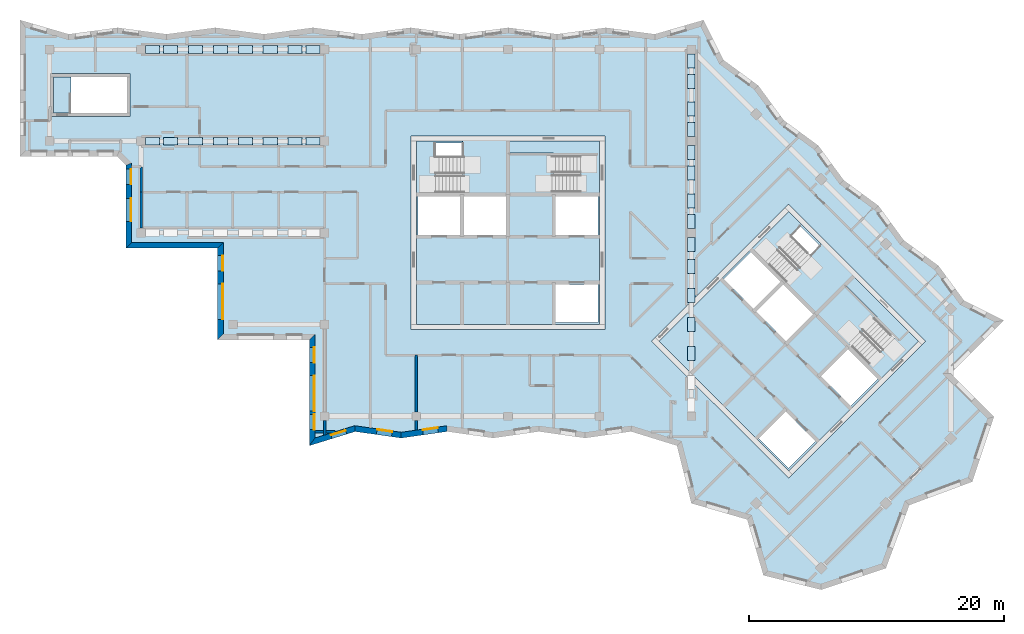
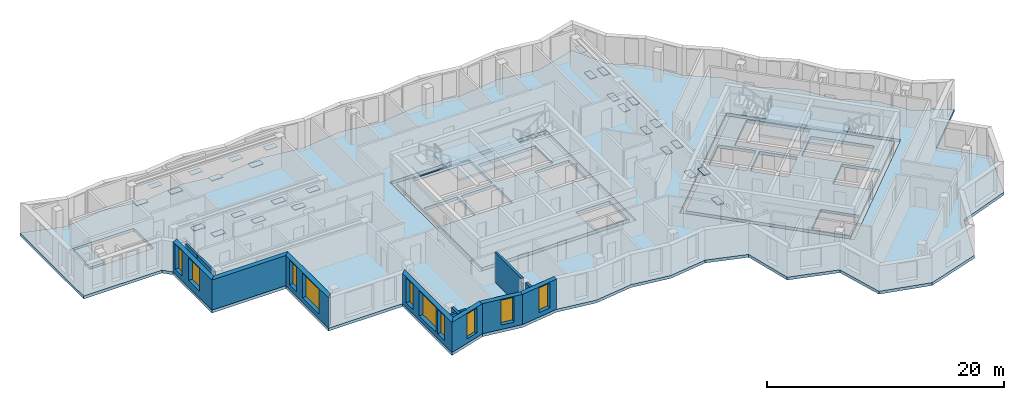
# One storey, part 2 of 12: 29 plates, 13 walls, 10 windows, 8 slabs, 25 openings, 4 elements without a shape of their own.
"""IFC4 building model written with IfcOpenShell, lengths in metres."""

from ifc_helpers import new_model, si_unit, direction, frame, frame_2d, origin, origin_2d, place, context, subcontext, project, spatial, polyline, rectangle, outline, extrude, material, layer, layer_set, type_object, element, fill, aggregate, save


model = new_model("IFC4")

# Units and contexts
model_context = context("Model", 3, precision=1e-05, world=origin(), true_north=direction((0.0, 1.0)))
body_context = subcontext(model_context, "Body", "Model", "MODEL_VIEW")
ifc_project = project(units=[si_unit("LENGTHUNIT", "METRE"), si_unit("AREAUNIT", "SQUARE_METRE"), si_unit("VOLUMEUNIT", "CUBIC_METRE"), si_unit("PLANEANGLEUNIT", "RADIAN"), si_unit("MASSUNIT", "GRAM", prefix="KILO")], contexts=[model_context])

# Site, building, storey
site_placement = place(None, origin())
site = spatial("IfcSite", under=ifc_project, at=site_placement, CompositionType="ELEMENT")
building_placement = place(site_placement, origin())
building = spatial("IfcBuilding", under=site, at=building_placement, Name="Windrow Commons", CompositionType="ELEMENT")
storey_placement = place(building_placement, frame((0.0, 0.0, 267.6)))
storey = spatial("IfcBuildingStorey", under=building, at=storey_placement, Name="L73", CompositionType="ELEMENT", Elevation=267.6)

# Slab, openings
ifc_material_1 = material(Name="Concrete C40/50", Category="concrete")
ifc_layer_1 = layer(ifc_material_1, 0.3)
ifc_layer_set_1 = layer_set([ifc_layer_1], Name="CORE FLOOR SLAB 300 C40/50")
slab_type_1 = type_object("IfcSlabType", Name="CORE FLOOR SLAB 300 C40/50", PredefinedType="FLOOR", material=ifc_layer_set_1)
placement_1 = place(storey_placement, frame((0.0, 0.0, -0.3)))
slab_1 = element("IfcSlab", 1, at=placement_1, inside=storey, type_object=slab_type_1, Name="S-L73-core-A", PredefinedType="FLOOR", context=body_context, shape_type="SweptSolid", body=[
    extrude(outline(polyline([(57.6, 50.4), (72.0, 50.4), (72.0, 64.8), (57.6, 64.8), (57.6, 50.4)]), holes=[polyline([(68.55, 50.55), (71.85, 50.55), (71.85, 53.55), (68.55, 53.55), (68.55, 50.55)]), polyline([(57.75, 57.45), (61.05, 57.45), (61.05, 60.45), (57.75, 60.45), (57.75, 57.45)]), polyline([(61.35, 57.45), (64.65, 57.45), (64.65, 60.45), (61.35, 60.45), (61.35, 57.45)]), polyline([(68.55, 57.45), (71.85, 57.45), (71.85, 60.45), (68.55, 60.45), (68.55, 57.45)]), polyline([(59.1, 60.75), (64.65, 60.75), (64.65, 64.65), (59.1, 64.65), (59.1, 60.75)]), polyline([(64.95, 60.75), (70.5, 60.75), (70.5, 63.705), (64.95, 63.705), (64.95, 60.75)])]), origin(), (0.0, 0.0, 1.0), 0.3),
])
opening_1_placement = place(placement_1, origin())
element("IfcOpeningElement", 2, at=opening_1_placement, cuts=slab_1, Name="Slab opening S-L73-core-A 1", PredefinedType="OPENING", context=body_context, shape_type="SweptSolid", body=[
    extrude(outline(polyline([(68.555, 50.555), (68.555, 53.545), (71.845, 53.545), (71.845, 50.555), (68.555, 50.555)])), origin(), (0.0, 0.0, 1.0), 0.3),
])
opening_2_placement = place(placement_1, origin())
element("IfcOpeningElement", 3, at=opening_2_placement, cuts=slab_1, Name="Slab opening S-L73-core-A 2", PredefinedType="OPENING", context=body_context, shape_type="SweptSolid", body=[
    extrude(outline(polyline([(57.755, 57.455), (57.755, 60.445), (61.045, 60.445), (61.045, 57.455), (57.755, 57.455)])), origin(), (0.0, 0.0, 1.0), 0.3),
])
opening_3_placement = place(placement_1, origin())
element("IfcOpeningElement", 4, at=opening_3_placement, cuts=slab_1, Name="Slab opening S-L73-core-A 3", PredefinedType="OPENING", context=body_context, shape_type="SweptSolid", body=[
    extrude(outline(polyline([(61.355, 57.455), (61.355, 60.445), (64.645, 60.445), (64.645, 57.455), (61.355, 57.455)])), origin(), (0.0, 0.0, 1.0), 0.3),
])
opening_4_placement = place(placement_1, origin())
element("IfcOpeningElement", 5, at=opening_4_placement, cuts=slab_1, Name="Slab opening S-L73-core-A 4", PredefinedType="OPENING", context=body_context, shape_type="SweptSolid", body=[
    extrude(outline(polyline([(68.555, 57.455), (68.555, 60.445), (71.845, 60.445), (71.845, 57.455), (68.555, 57.455)])), origin(), (0.0, 0.0, 1.0), 0.3),
])
opening_5_placement = place(placement_1, origin())
element("IfcOpeningElement", 6, at=opening_5_placement, cuts=slab_1, Name="Slab opening S-L73-core-A 5", PredefinedType="OPENING", context=body_context, shape_type="SweptSolid", body=[
    extrude(outline(polyline([(59.105, 60.755), (59.105, 64.645), (64.645, 64.645), (64.645, 60.755), (59.105, 60.755)])), origin(), (0.0, 0.0, 1.0), 0.3),
])
opening_6_placement = place(placement_1, origin())
element("IfcOpeningElement", 7, at=opening_6_placement, cuts=slab_1, Name="Slab opening S-L73-core-A 6", PredefinedType="OPENING", context=body_context, shape_type="SweptSolid", body=[
    extrude(outline(polyline([(64.955, 60.755), (64.955, 63.7), (70.495, 63.7), (70.495, 60.755), (64.955, 60.755)])), origin(), (0.0, 0.0, 1.0), 0.3),
])

slab_2 = element("IfcSlab", 8, at=placement_1, inside=storey, type_object=slab_type_1, Name="S-L73-core-B", PredefinedType="FLOOR", context=body_context, shape_type="SweptSolid", body=[
    extrude(outline(polyline([(76.6544, 49.0897), (86.8368, 38.9074), (97.0191, 49.0897), (86.8368, 59.2721), (76.6544, 49.0897)]), holes=[polyline([(84.5033, 41.453), (86.8368, 39.1195), (88.9581, 41.2409), (86.6246, 43.5743), (84.5033, 41.453)]), polyline([(81.7456, 53.9688), (84.079, 51.6353), (86.2004, 53.7566), (83.8669, 56.0901), (81.7456, 53.9688)]), polyline([(84.2912, 51.4232), (86.6246, 49.0897), (88.7459, 51.2111), (86.4125, 53.5445), (84.2912, 51.4232)]), polyline([(89.3823, 46.332), (91.7158, 43.9986), (93.8371, 46.1199), (91.5037, 48.4533), (89.3823, 46.332)]), polyline([(85.0336, 55.3476), (88.9581, 51.4232), (91.7158, 54.1809), (87.7913, 58.1054), (85.0336, 55.3476)]), polyline([(89.1702, 51.2111), (93.0946, 47.2866), (95.1841, 49.3761), (91.2597, 53.3006), (89.1702, 51.2111)])]), origin(), (0.0, 0.0, 1.0), 0.3),
])
opening_7_placement = place(placement_1, origin())
element("IfcOpeningElement", 9, at=opening_7_placement, cuts=slab_2, Name="Slab opening S-L73-core-B 1", PredefinedType="OPENING", context=body_context, shape_type="SweptSolid", body=[
    extrude(outline(polyline([(84.5104, 41.453), (86.6246, 43.5672), (88.951, 41.2409), (86.8368, 39.1266), (84.5104, 41.453)])), origin(), (0.0, 0.0, 1.0), 0.3),
])
opening_8_placement = place(placement_1, origin())
element("IfcOpeningElement", 10, at=opening_8_placement, cuts=slab_2, Name="Slab opening S-L73-core-B 2", PredefinedType="OPENING", context=body_context, shape_type="SweptSolid", body=[
    extrude(outline(polyline([(81.7527, 53.9688), (83.8669, 56.083), (86.1933, 53.7566), (84.079, 51.6424), (81.7527, 53.9688)])), origin(), (0.0, 0.0, 1.0), 0.3),
])
opening_9_placement = place(placement_1, origin())
element("IfcOpeningElement", 11, at=opening_9_placement, cuts=slab_2, Name="Slab opening S-L73-core-B 3", PredefinedType="OPENING", context=body_context, shape_type="SweptSolid", body=[
    extrude(outline(polyline([(84.2983, 51.4232), (86.4125, 53.5374), (88.7388, 51.2111), (86.6246, 49.0968), (84.2983, 51.4232)])), origin(), (0.0, 0.0, 1.0), 0.3),
])
opening_10_placement = place(placement_1, origin())
element("IfcOpeningElement", 12, at=opening_10_placement, cuts=slab_2, Name="Slab opening S-L73-core-B 4", PredefinedType="OPENING", context=body_context, shape_type="SweptSolid", body=[
    extrude(outline(polyline([(89.3894, 46.332), (91.5037, 48.4462), (93.83, 46.1199), (91.7158, 44.0057), (89.3894, 46.332)])), origin(), (0.0, 0.0, 1.0), 0.3),
])
opening_11_placement = place(placement_1, origin())
element("IfcOpeningElement", 13, at=opening_11_placement, cuts=slab_2, Name="Slab opening S-L73-core-B 5", PredefinedType="OPENING", context=body_context, shape_type="SweptSolid", body=[
    extrude(outline(polyline([(85.0407, 55.3476), (87.7913, 58.0983), (91.7087, 54.1809), (88.9581, 51.4303), (85.0407, 55.3476)])), origin(), (0.0, 0.0, 1.0), 0.3),
])
opening_12_placement = place(placement_1, origin())
element("IfcOpeningElement", 14, at=opening_12_placement, cuts=slab_2, Name="Slab opening S-L73-core-B 6", PredefinedType="OPENING", context=body_context, shape_type="SweptSolid", body=[
    extrude(outline(polyline([(89.1773, 51.2111), (91.2597, 53.2935), (95.177, 49.3761), (93.0946, 47.2937), (89.1773, 51.2111)])), origin(), (0.0, 0.0, 1.0), 0.3),
])

# Slab
element("IfcSlab", 15, at=placement_1, inside=storey, type_object=slab_type_1, Name="S-L73-stub-stair", PredefinedType="FLOOR", context=body_context, shape_type="SweptSolid", body=[
    extrude(outline(polyline([(29.125, 67.0), (30.475, 67.0), (30.475, 69.85), (29.125, 69.85), (29.125, 67.0)])), origin(), (0.0, 0.0, 1.0), 0.3),
])

# Stair, slab
ifc_material_2 = material(Name="Concrete C40/50", Category="concrete")
stair_type = type_object("IfcStairType", Name="Core stair", PredefinedType="HALF_TURN_STAIR", material=ifc_material_2)
placement_2 = place(storey_placement, origin())
stair_1 = element("IfcStair", 16, at=placement_2, inside=storey, type_object=stair_type, Name="L73 Exit stair A1 core A", PredefinedType="HALF_TURN_STAIR")
ifc_material_3 = material(Name="Concrete C40/50", Category="concrete")
ifc_layer_2 = layer(ifc_material_3, 0.2)
ifc_layer_set_2 = layer_set([ifc_layer_2], Name="Core stair landing")
slab_type_2 = type_object("IfcSlabType", Name="Core stair landing", PredefinedType="LANDING", material=ifc_layer_set_2)
placement_3 = place(storey_placement, frame((0.0, 0.0, 1.5)))
slab_4 = element("IfcSlab", 17, at=placement_3, type_object=slab_type_2, Name="ST-A1 landing 1", PredefinedType="LANDING", context=body_context, shape_type="SweptSolid", body=[
    extrude(outline(polyline([(61.22, 60.5), (64.8, 60.5), (64.8, 64.9), (61.22, 64.9), (61.22, 60.5)])), origin(), (0.0, 0.0, 1.0), 0.2),
])
aggregate(stair_1, [slab_4])

stair_2 = element("IfcStair", 18, at=placement_2, inside=storey, type_object=stair_type, Name="L73 Exit stair A2 core A", PredefinedType="HALF_TURN_STAIR")
slab_5 = element("IfcSlab", 19, at=placement_3, type_object=slab_type_2, Name="ST-A2 landing 1", PredefinedType="LANDING", context=body_context, shape_type="SweptSolid", body=[
    extrude(outline(polyline([(64.8, 60.5), (68.38, 60.5), (68.38, 63.855), (64.8, 63.855), (64.8, 60.5)])), origin(), (0.0, 0.0, 1.0), 0.2),
])
aggregate(stair_2, [slab_5])

stair_3 = element("IfcStair", 20, at=placement_2, inside=storey, type_object=stair_type, Name="L73 Exit stair B1 core B", PredefinedType="HALF_TURN_STAIR")
slab_6 = element("IfcSlab", 21, at=placement_3, type_object=slab_type_2, Name="ST-B1 landing 1", PredefinedType="LANDING", context=body_context, shape_type="SweptSolid", body=[
    extrude(outline(polyline([(86.3559, 53.6718), (88.8874, 51.1403), (91.9986, 54.2516), (89.4672, 56.7831), (86.3559, 53.6718)])), origin(), (0.0, 0.0, 1.0), 0.2),
])
aggregate(stair_3, [slab_6])

stair_4 = element("IfcStair", 22, at=placement_2, inside=storey, type_object=stair_type, Name="L73 Exit stair B2 core B", PredefinedType="HALF_TURN_STAIR")
slab_7 = element("IfcSlab", 23, at=placement_3, type_object=slab_type_2, Name="ST-B2 landing 1", PredefinedType="LANDING", context=body_context, shape_type="SweptSolid", body=[
    extrude(outline(polyline([(88.8874, 51.1403), (91.4188, 48.6089), (93.7911, 50.9812), (91.2597, 53.5127), (88.8874, 51.1403)])), origin(), (0.0, 0.0, 1.0), 0.2),
])
aggregate(stair_4, [slab_7])

# Slab, openings
ifc_material_4 = material(Name="Concrete C40/50", Category="concrete")
ifc_layer_3 = layer(ifc_material_4, 0.3)
ifc_layer_set_3 = layer_set([ifc_layer_3], Name="FLOOR SLAB 300 C40/50")
slab_type_3 = type_object("IfcSlabType", Name="FLOOR SLAB 300 C40/50", PredefinedType="FLOOR", material=ifc_layer_set_3)
slab_8 = element("IfcSlab", 24, at=placement_1, inside=storey, type_object=slab_type_3, Name="S-L73-floor", PredefinedType="FLOOR", context=body_context, shape_type="SweptSolid", body=[
    extrude(outline(polyline([(84.8566, 30.7051), (89.3823, 29.5736), (94.4735, 31.2706), (96.312, 36.2204), (101.2617, 38.0588), (102.9588, 43.15), (99.5647, 46.5442), (103.7451, 50.7246), (100.6001, 52.297), (98.6034, 55.0178), (95.8826, 57.0145), (93.8859, 59.7353), (91.1651, 61.732), (89.1684, 64.4528), (86.4476, 66.4495), (84.4509, 69.1703), (81.7301, 71.167), (80.1577, 74.312), (76.3242, 73.2), (72.4906, 73.712), (68.6571, 73.2), (64.8235, 73.712), (60.99, 73.2), (57.1564, 73.712), (53.3229, 73.2), (49.4893, 73.712), (45.6558, 73.2), (41.8222, 73.712), (37.9887, 73.2), (34.1551, 73.712), (30.3216, 73.2), (26.488, 74.312), (26.488, 63.6), (34.1, 63.6), (34.8, 62.9), (34.8, 56.4), (42.0, 56.4), (42.0, 49.2), (49.2, 49.2), (49.2, 40.888), (52.8085, 42.0), (56.417, 41.488), (60.0255, 42.0), (63.634, 41.488), (67.2424, 42.0), (70.8509, 41.488), (74.4594, 42.0), (78.0679, 40.888), (79.1994, 36.3623), (83.5837, 35.0894), (84.8566, 30.7051)]), holes=[polyline([(76.0887, 49.0897), (86.8368, 59.8378), (97.5848, 49.0897), (86.8368, 38.3417), (76.0887, 49.0897)]), polyline([(57.2, 65.2), (72.4, 65.2), (72.4, 50.0), (57.2, 50.0), (57.2, 65.2)]), polyline([(28.875, 66.75), (28.875, 70.1), (35.125, 70.1), (35.125, 66.75), (28.875, 66.75)])]), origin(), (0.0, 0.0, 1.0), 0.3),
])
opening_13_placement = place(placement_1, origin())
element("IfcOpeningElement", 25, at=opening_13_placement, cuts=slab_8, Name="Slab opening S-L73-floor 1", PredefinedType="OPENING", context=body_context, shape_type="SweptSolid", body=[
    extrude(outline(polyline([(76.0958, 49.0897), (86.8368, 59.8307), (97.5777, 49.0897), (86.8368, 38.3488), (76.0958, 49.0897)])), origin(), (0.0, 0.0, 1.0), 0.3),
])
opening_14_placement = place(placement_1, origin())
element("IfcOpeningElement", 26, at=opening_14_placement, cuts=slab_8, Name="Slab opening S-L73-floor 2", PredefinedType="OPENING", context=body_context, shape_type="SweptSolid", body=[
    extrude(outline(polyline([(57.205, 65.195), (72.395, 65.195), (72.395, 50.005), (57.205, 50.005), (57.205, 65.195)])), origin(), (0.0, 0.0, 1.0), 0.3),
])
opening_15_placement = place(placement_1, origin())
element("IfcOpeningElement", 27, at=opening_15_placement, cuts=slab_8, Name="Slab opening S-L73-floor 3", PredefinedType="OPENING", context=body_context, shape_type="SweptSolid", body=[
    extrude(outline(polyline([(28.88, 66.755), (28.88, 70.095), (35.12, 70.095), (35.12, 66.755), (28.88, 66.755)])), origin(), (0.0, 0.0, 1.0), 0.3),
])

# Plates
ifc_material_5 = material(Name="Steel S355", Category="steel")
ifc_layer_4 = layer(ifc_material_5, 0.03)
ifc_layer_set_4 = layer_set([ifc_layer_4], Name="GUSSET PLATE 30 S355")
plate_type = type_object("IfcPlateType", Name="GUSSET PLATE 30 S355", PredefinedType="USERDEFINED", material=ifc_layer_set_4)
for number, where, z_axis, x_axis, name in (
    (28, (79.2, 48.1167, 0.7), (0.0, 0.0, 1.0), (0.0, 1.0, 0.0), "Gusset plate L73 portal 3"),
    (29, (79.2, 50.4, 2.37), (0.0, 0.0, 1.0), (0.0, 1.0, 0.0), "Gusset plate L73 portal 4"),
    (30, (79.2, 52.6833, 0.7), (0.0, 0.0, 1.0), (0.0, 1.0, 0.0), "Gusset plate L73 portal 5"),
    (31, (79.2, 54.9667, 2.37), (0.0, 0.0, 1.0), (0.0, 1.0, 0.0), "Gusset plate L73 portal 6"),
    (32, (79.2, 56.7, 0.7), (0.0, 0.0, 1.0), (0.0, 1.0, 0.0), "Gusset plate L73 portal 7"),
    (33, (79.2, 58.5, 2.37), (0.0, 0.0, 1.0), (0.0, 1.0, 0.0), "Gusset plate L73 portal 8"),
    (34, (79.2, 60.1167, 0.7), (0.0, 0.0, 1.0), (0.0, 1.0, 0.0), "Gusset plate L73 portal 9"),
    (35, (79.2, 62.2833, 2.37), (0.0, 0.0, 1.0), (0.0, 1.0, 0.0), "Gusset plate L73 portal 10"),
    (36, (79.2, 63.9, 0.7), (0.0, 0.0, 1.0), (0.0, 1.0, 0.0), "Gusset plate L73 portal 11"),
    (37, (79.2, 65.7, 0.7), (0.0, 0.0, 1.0), (0.0, 1.0, 0.0), "Gusset plate L73 portal 12"),
    (38, (79.2, 67.3167, 2.37), (0.0, 0.0, 1.0), (0.0, 1.0, 0.0), "Gusset plate L73 portal 13"),
    (39, (79.2, 69.4833, 0.7), (0.0, 0.0, 1.0), (0.0, 1.0, 0.0), "Gusset plate L73 portal 14"),
    (40, (79.2, 71.1, 2.37), (0.0, 0.0, 1.0), (0.0, 1.0, 0.0), "Gusset plate L73 portal 15"),
    (41, (36.9, 64.8, 0.9), (0.0, 0.0, 1.0), (1.0, 0.0, 0.0), "Gusset plate L73 portal-transfer-648 1"),
    (42, (38.3071, 64.8, 2.17), (0.0, 0.0, 1.0), (1.0, 0.0, 0.0), "Gusset plate L73 portal-transfer-648 2"),
    (43, (40.2643, 64.8, 0.9), (0.0, 0.0, 1.0), (1.0, 0.0, 0.0), "Gusset plate L73 portal-transfer-648 3"),
    (44, (42.2214, 64.8, 2.17), (0.0, 0.0, 1.0), (1.0, 0.0, 0.0), "Gusset plate L73 portal-transfer-648 4"),
    (45, (44.1786, 64.8, 0.9), (0.0, 0.0, 1.0), (1.0, 0.0, 0.0), "Gusset plate L73 portal-transfer-648 5"),
    (46, (46.1357, 64.8, 2.17), (0.0, 0.0, 1.0), (1.0, 0.0, 0.0), "Gusset plate L73 portal-transfer-648 6"),
    (47, (48.0929, 64.8, 0.9), (0.0, 0.0, 1.0), (1.0, 0.0, 0.0), "Gusset plate L73 portal-transfer-648 7"),
    (48, (49.5, 64.8, 2.17), (0.0, 0.0, 1.0), (1.0, 0.0, 0.0), "Gusset plate L73 portal-transfer-648 8"),
    (49, (36.9, 72.0, 0.9), (0.0, 0.0, 1.0), (1.0, 0.0, 0.0), "Gusset plate L73 portal-transfer-720 1"),
    (50, (38.3071, 72.0, 2.17), (0.0, 0.0, 1.0), (1.0, 0.0, 0.0), "Gusset plate L73 portal-transfer-720 2"),
    (51, (40.2643, 72.0, 0.9), (0.0, 0.0, 1.0), (1.0, 0.0, 0.0), "Gusset plate L73 portal-transfer-720 3"),
    (52, (42.2214, 72.0, 2.17), (0.0, 0.0, 1.0), (1.0, 0.0, 0.0), "Gusset plate L73 portal-transfer-720 4"),
    (53, (44.1786, 72.0, 0.9), (0.0, 0.0, 1.0), (1.0, 0.0, 0.0), "Gusset plate L73 portal-transfer-720 5"),
    (54, (46.1357, 72.0, 2.17), (0.0, 0.0, 1.0), (1.0, 0.0, 0.0), "Gusset plate L73 portal-transfer-720 6"),
    (55, (48.0929, 72.0, 0.9), (0.0, 0.0, 1.0), (1.0, 0.0, 0.0), "Gusset plate L73 portal-transfer-720 7"),
    (56, (49.5, 72.0, 2.17), (0.0, 0.0, 1.0), (1.0, 0.0, 0.0), "Gusset plate L73 portal-transfer-720 8"),
):
    element("IfcPlate", number, at=place(storey_placement, frame(where, z_axis=z_axis, x_axis=x_axis)), inside=storey, type_object=plate_type, Name=name, ObjectType="GUSSET PLATE", PredefinedType="USERDEFINED", context=body_context, shape_type="SweptSolid", body=[
        extrude(rectangle(XDim=1.1, YDim=0.6, at=origin_2d()), origin(), (0.0, 0.0, 1.0), 0.03),
    ])

# Wall, openings, windows
ifc_material_6 = material(Name="Brick masonry, red clay brick", Category="masonry")
ifc_layer_5 = layer(ifc_material_6, 0.45)
ifc_layer_set_5 = layer_set([ifc_layer_5], Name="Brick facade wall 450")
wall_type_1 = type_object("IfcWallType", Name="Brick facade wall 450", PredefinedType="SOLIDWALL", material=ifc_layer_set_5)
wall_1_placement = place(storey_placement, frame((35.025, 62.9932, 0.0), z_axis=(0.0, 0.0, 1.0), x_axis=(0.0, -1.0, 0.0)))
wall_1 = element("IfcWall", 57, at=wall_1_placement, inside=storey, type_object=wall_type_1, Name="Brick facade wall L73 34", PredefinedType="SOLIDWALL", context=body_context, shape_type="SweptSolid", body=[
    extrude(outline(polyline([(0.0932, -0.225), (6.5932, -0.225), (6.1432, 0.225), (-0.0932, 0.225), (0.0932, -0.225)])), origin(), (0.0, 0.0, 1.0), 3.1),
])
opening_16_placement = place(wall_1_placement, frame((0.3966, 0.0, 0.45)))
opening_16 = element("IfcOpeningElement", 58, at=opening_16_placement, cuts=wall_1, Name="Opening W7F", PredefinedType="OPENING", context=body_context, shape_type="SweptSolid", body=[
    extrude(rectangle(XDim=1.2, YDim=2.55, at=frame_2d((0.6, 1.275))), frame((0.0, 0.235, 0.0), z_axis=(0.0, -1.0, 0.0), x_axis=(1.0, 0.0, 0.0)), (0.0, 0.0, 1.0), 0.47),
])
opening_17_placement = place(wall_1_placement, frame((2.6932, 0.0, 0.7)))
opening_17 = element("IfcOpeningElement", 59, at=opening_17_placement, cuts=wall_1, Name="Opening W1C", PredefinedType="OPENING", context=body_context, shape_type="SweptSolid", body=[
    extrude(rectangle(XDim=1.8, YDim=2.3, at=frame_2d((0.9, 1.15))), frame((0.0, 0.235, 0.0), z_axis=(0.0, -1.0, 0.0), x_axis=(1.0, 0.0, 0.0)), (0.0, 0.0, 1.0), 0.47),
])
ifc_material_7 = material(Name="Clear float glass in anodised aluminium frame", Category="aluminium")
window_type_1 = type_object("IfcWindowType", Name="Window W1 bedroom 1800x2300", PartitioningType="SINGLE_PANEL", PredefinedType="WINDOW", material=ifc_material_7)
window_1_placement = place(opening_17_placement, origin())
window_1 = element("IfcWindow", 60, at=window_1_placement, inside=storey, type_object=window_type_1, Name="Window L73 34.1A", OverallHeight=2.3, OverallWidth=1.8, PartitioningType="SINGLE_PANEL", PredefinedType="WINDOW", context=body_context, shape_type="SweptSolid", body=[
    extrude(rectangle(XDim=1.8, YDim=2.3, at=frame_2d((0.9, 1.15))), frame((0.0, 0.205, 0.0), z_axis=(0.0, -1.0, 0.0), x_axis=(1.0, 0.0, 0.0)), (0.0, 0.0, 1.0), 0.06),
])
fill(opening_17, window_1)
ifc_material_8 = material(Name="Clear float glass in anodised aluminium frame", Category="aluminium")
window_type_2 = type_object("IfcWindowType", Name="Window W7 notch 1200x2550", PartitioningType="SINGLE_PANEL", PredefinedType="WINDOW", material=ifc_material_8)
window_2_placement = place(opening_16_placement, origin())
window_2 = element("IfcWindow", 61, at=window_2_placement, inside=storey, type_object=window_type_2, Name="Window L73 34.2", OverallHeight=2.55, OverallWidth=1.2, PartitioningType="SINGLE_PANEL", PredefinedType="WINDOW", context=body_context, shape_type="SweptSolid", body=[
    extrude(rectangle(XDim=1.2, YDim=2.55, at=frame_2d((0.6, 1.275))), frame((0.0, 0.205, 0.0), z_axis=(0.0, -1.0, 0.0), x_axis=(1.0, 0.0, 0.0)), (0.0, 0.0, 1.0), 0.06),
])
fill(opening_16, window_2)

# Wall
wall_2_placement = place(storey_placement, frame((35.025, 56.625, 0.0), z_axis=(0.0, 0.0, 1.0), x_axis=(1.0, 0.0, 0.0)))
element("IfcWall", 62, at=wall_2_placement, inside=storey, type_object=wall_type_1, Name="Brick facade wall L73 35", PredefinedType="SOLIDWALL", context=body_context, shape_type="SweptSolid", body=[
    extrude(outline(polyline([(-0.225, -0.225), (6.975, -0.225), (7.425, 0.225), (0.225, 0.225), (-0.225, -0.225)])), origin(), (0.0, 0.0, 1.0), 3.1),
])

# Wall, openings, windows
wall_3_placement = place(storey_placement, frame((42.225, 56.625, 0.0), z_axis=(0.0, 0.0, 1.0), x_axis=(0.0, -1.0, 0.0)))
wall_3 = element("IfcWall", 63, at=wall_3_placement, inside=storey, type_object=wall_type_1, Name="Brick facade wall L73 36", PredefinedType="SOLIDWALL", context=body_context, shape_type="SweptSolid", body=[
    extrude(outline(polyline([(0.225, -0.225), (7.425, -0.225), (6.975, 0.225), (-0.225, 0.225), (0.225, -0.225)])), origin(), (0.0, 0.0, 1.0), 3.1),
])
opening_18_placement = place(wall_3_placement, frame((3.025, 0.0, 0.45)))
opening_18 = element("IfcOpeningElement", 64, at=opening_18_placement, cuts=wall_3, Name="Opening W1V", PredefinedType="OPENING", context=body_context, shape_type="SweptSolid", body=[
    extrude(rectangle(XDim=2.8, YDim=2.55, at=frame_2d((1.4, 1.275))), frame((0.0, 0.235, 0.0), z_axis=(0.0, -1.0, 0.0), x_axis=(1.0, 0.0, 0.0)), (0.0, 0.0, 1.0), 0.47),
])
opening_19_placement = place(wall_3_placement, frame((0.8125, 0.0, 0.45)))
opening_19 = element("IfcOpeningElement", 65, at=opening_19_placement, cuts=wall_3, Name="Opening W7F", PredefinedType="OPENING", context=body_context, shape_type="SweptSolid", body=[
    extrude(rectangle(XDim=1.2, YDim=2.55, at=frame_2d((0.6, 1.275))), frame((0.0, 0.235, 0.0), z_axis=(0.0, -1.0, 0.0), x_axis=(1.0, 0.0, 0.0)), (0.0, 0.0, 1.0), 0.47),
])
ifc_material_9 = material(Name="Clear float glass in anodised aluminium frame", Category="aluminium")
window_type_3 = type_object("IfcWindowType", Name="Window W1V bedroom 2800x2550", PartitioningType="SINGLE_PANEL", PredefinedType="WINDOW", material=ifc_material_9)
window_3_placement = place(opening_18_placement, origin())
window_3 = element("IfcWindow", 66, at=window_3_placement, inside=storey, type_object=window_type_3, Name="Window L73 36.1", OverallHeight=2.55, OverallWidth=2.8, PartitioningType="SINGLE_PANEL", PredefinedType="WINDOW", context=body_context, shape_type="SweptSolid", body=[
    extrude(rectangle(XDim=2.8, YDim=2.55, at=frame_2d((1.4, 1.275))), frame((0.0, 0.205, 0.0), z_axis=(0.0, -1.0, 0.0), x_axis=(1.0, 0.0, 0.0)), (0.0, 0.0, 1.0), 0.06),
])
fill(opening_18, window_3)
window_4_placement = place(opening_19_placement, origin())
window_4 = element("IfcWindow", 67, at=window_4_placement, inside=storey, type_object=window_type_2, Name="Window L73 36.2", OverallHeight=2.55, OverallWidth=1.2, PartitioningType="SINGLE_PANEL", PredefinedType="WINDOW", context=body_context, shape_type="SweptSolid", body=[
    extrude(rectangle(XDim=1.2, YDim=2.55, at=frame_2d((0.6, 1.275))), frame((0.0, 0.205, 0.0), z_axis=(0.0, -1.0, 0.0), x_axis=(1.0, 0.0, 0.0)), (0.0, 0.0, 1.0), 0.06),
])
fill(opening_19, window_4)

wall_4_placement = place(storey_placement, frame((49.425, 49.425, 0.0), z_axis=(0.0, 0.0, 1.0), x_axis=(0.0, -1.0, 0.0)))
wall_4 = element("IfcWall", 68, at=wall_4_placement, inside=storey, type_object=wall_type_1, Name="Brick facade wall L73 38", PredefinedType="SOLIDWALL", context=body_context, shape_type="SweptSolid", body=[
    extrude(outline(polyline([(0.225, -0.225), (8.537, -0.225), (7.9274, 0.225), (-0.225, 0.225), (0.225, -0.225)])), origin(), (0.0, 0.0, 1.0), 3.1),
])
opening_20_placement = place(wall_4_placement, frame((3.025, 0.0, 0.45)))
opening_20 = element("IfcOpeningElement", 69, at=opening_20_placement, cuts=wall_4, Name="Opening W1V", PredefinedType="OPENING", context=body_context, shape_type="SweptSolid", body=[
    extrude(rectangle(XDim=2.8, YDim=2.55, at=frame_2d((1.4, 1.275))), frame((0.0, 0.235, 0.0), z_axis=(0.0, -1.0, 0.0), x_axis=(1.0, 0.0, 0.0)), (0.0, 0.0, 1.0), 0.47),
])
opening_21_placement = place(wall_4_placement, frame((0.8125, 0.0, 0.45)))
opening_21 = element("IfcOpeningElement", 70, at=opening_21_placement, cuts=wall_4, Name="Opening W7F", PredefinedType="OPENING", context=body_context, shape_type="SweptSolid", body=[
    extrude(rectangle(XDim=1.2, YDim=2.55, at=frame_2d((0.6, 1.275))), frame((0.0, 0.235, 0.0), z_axis=(0.0, -1.0, 0.0), x_axis=(1.0, 0.0, 0.0)), (0.0, 0.0, 1.0), 0.47),
])
opening_22_placement = place(wall_4_placement, frame((6.0762, 0.0, 0.45)))
opening_22 = element("IfcOpeningElement", 71, at=opening_22_placement, cuts=wall_4, Name="Opening W7F", PredefinedType="OPENING", context=body_context, shape_type="SweptSolid", body=[
    extrude(rectangle(XDim=1.2, YDim=2.55, at=frame_2d((0.6, 1.275))), frame((0.0, 0.235, 0.0), z_axis=(0.0, -1.0, 0.0), x_axis=(1.0, 0.0, 0.0)), (0.0, 0.0, 1.0), 0.47),
])
window_5_placement = place(opening_20_placement, origin())
window_5 = element("IfcWindow", 72, at=window_5_placement, inside=storey, type_object=window_type_3, Name="Window L73 38.1", OverallHeight=2.55, OverallWidth=2.8, PartitioningType="SINGLE_PANEL", PredefinedType="WINDOW", context=body_context, shape_type="SweptSolid", body=[
    extrude(rectangle(XDim=2.8, YDim=2.55, at=frame_2d((1.4, 1.275))), frame((0.0, 0.205, 0.0), z_axis=(0.0, -1.0, 0.0), x_axis=(1.0, 0.0, 0.0)), (0.0, 0.0, 1.0), 0.06),
])
fill(opening_20, window_5)
window_6_placement = place(opening_21_placement, origin())
window_6 = element("IfcWindow", 73, at=window_6_placement, inside=storey, type_object=window_type_2, Name="Window L73 38.2", OverallHeight=2.55, OverallWidth=1.2, PartitioningType="SINGLE_PANEL", PredefinedType="WINDOW", context=body_context, shape_type="SweptSolid", body=[
    extrude(rectangle(XDim=1.2, YDim=2.55, at=frame_2d((0.6, 1.275))), frame((0.0, 0.205, 0.0), z_axis=(0.0, -1.0, 0.0), x_axis=(1.0, 0.0, 0.0)), (0.0, 0.0, 1.0), 0.06),
])
fill(opening_21, window_6)
window_7_placement = place(opening_22_placement, origin())
window_7 = element("IfcWindow", 74, at=window_7_placement, inside=storey, type_object=window_type_2, Name="Window L73 38.3", OverallHeight=2.55, OverallWidth=1.2, PartitioningType="SINGLE_PANEL", PredefinedType="WINDOW", context=body_context, shape_type="SweptSolid", body=[
    extrude(rectangle(XDim=1.2, YDim=2.55, at=frame_2d((0.6, 1.275))), frame((0.0, 0.205, 0.0), z_axis=(0.0, -1.0, 0.0), x_axis=(1.0, 0.0, 0.0)), (0.0, 0.0, 1.0), 0.06),
])
fill(opening_22, window_7)

# Wall, opening, window
wall_5_placement = place(storey_placement, frame((49.425, 41.1928, 0.0), z_axis=(0.0, 0.0, 1.0), x_axis=(0.9556573555, 0.2944809312, 0.0)))
wall_5 = element("IfcWall", 75, at=wall_5_placement, inside=storey, type_object=wall_type_1, Name="Brick facade wall L73 39", PredefinedType="SOLIDWALL", context=body_context, shape_type="SweptSolid", body=[
    extrude(outline(polyline([(-0.3048, -0.225), (3.4712, -0.225), (3.5718, 0.225), (0.3048, 0.225), (-0.3048, -0.225)])), origin(), (0.0, 0.0, 1.0), 3.1),
])
opening_23_placement = place(wall_5_placement, frame((1.5709, 0.0, 0.45)))
opening_23 = element("IfcOpeningElement", 76, at=opening_23_placement, cuts=wall_5, Name="Opening W7F", PredefinedType="OPENING", context=body_context, shape_type="SweptSolid", body=[
    extrude(rectangle(XDim=1.2, YDim=2.55, at=frame_2d((0.6, 1.275))), frame((0.0, 0.235, 0.0), z_axis=(0.0, -1.0, 0.0), x_axis=(1.0, 0.0, 0.0)), (0.0, 0.0, 1.0), 0.47),
])
window_8_placement = place(opening_23_placement, origin())
window_8 = element("IfcWindow", 77, at=window_8_placement, inside=storey, type_object=window_type_2, Name="Window L73 39.1", OverallHeight=2.55, OverallWidth=1.2, PartitioningType="SINGLE_PANEL", PredefinedType="WINDOW", context=body_context, shape_type="SweptSolid", body=[
    extrude(rectangle(XDim=1.2, YDim=2.55, at=frame_2d((0.6, 1.275))), frame((0.0, 0.105, 0.0), z_axis=(0.0, -1.0, 0.0), x_axis=(1.0, 0.0, 0.0)), (0.0, 0.0, 1.0), 0.06),
])
fill(opening_23, window_8)

wall_6_placement = place(storey_placement, frame((52.7903, 42.2298, 0.0), z_axis=(0.0, 0.0, 1.0), x_axis=(0.9900866168, -0.1404581477, 0.0)))
wall_6 = element("IfcWall", 78, at=wall_6_placement, inside=storey, type_object=wall_type_1, Name="Brick facade wall L73 40", PredefinedType="SOLIDWALL", context=body_context, shape_type="SweptSolid", body=[
    extrude(outline(polyline([(0.0503, -0.225), (3.6949, -0.225), (3.6311, 0.225), (-0.0503, 0.225), (0.0503, -0.225)])), origin(), (0.0, 0.0, 1.0), 3.1),
])
opening_24_placement = place(wall_6_placement, frame((1.7265, 0.0, 0.45)))
opening_24 = element("IfcOpeningElement", 79, at=opening_24_placement, cuts=wall_6, Name="Opening W7F", PredefinedType="OPENING", context=body_context, shape_type="SweptSolid", body=[
    extrude(rectangle(XDim=1.2, YDim=2.55, at=frame_2d((0.6, 1.275))), frame((0.0, 0.235, 0.0), z_axis=(0.0, -1.0, 0.0), x_axis=(1.0, 0.0, 0.0)), (0.0, 0.0, 1.0), 0.47),
])
window_9_placement = place(opening_24_placement, origin())
window_9 = element("IfcWindow", 80, at=window_9_placement, inside=storey, type_object=window_type_2, Name="Window L73 40.1", OverallHeight=2.55, OverallWidth=1.2, PartitioningType="SINGLE_PANEL", PredefinedType="WINDOW", context=body_context, shape_type="SweptSolid", body=[
    extrude(rectangle(XDim=1.2, YDim=2.55, at=frame_2d((0.6, 1.275))), frame((0.0, 0.205, 0.0), z_axis=(0.0, -1.0, 0.0), x_axis=(1.0, 0.0, 0.0)), (0.0, 0.0, 1.0), 0.06),
])
fill(opening_24, window_9)

wall_7_placement = place(storey_placement, frame((56.417, 41.7153, 0.0), z_axis=(0.0, 0.0, 1.0), x_axis=(0.9900834903, 0.1404801848, 0.0)))
wall_7 = element("IfcWall", 81, at=wall_7_placement, inside=storey, type_object=wall_type_1, Name="Brick facade wall L73 41", PredefinedType="SOLIDWALL", context=body_context, shape_type="SweptSolid", body=[
    extrude(outline(polyline([(-0.0319, -0.225), (3.6127, -0.225), (3.6766, 0.225), (0.0319, 0.225), (-0.0319, -0.225)])), origin(), (0.0, 0.0, 1.0), 3.1),
])
opening_25_placement = place(wall_7_placement, frame((1.7198, 0.0, 0.45)))
opening_25 = element("IfcOpeningElement", 82, at=opening_25_placement, cuts=wall_7, Name="Opening W7F", PredefinedType="OPENING", context=body_context, shape_type="SweptSolid", body=[
    extrude(rectangle(XDim=1.2, YDim=2.55, at=frame_2d((0.6, 1.275))), frame((0.0, 0.235, 0.0), z_axis=(0.0, -1.0, 0.0), x_axis=(1.0, 0.0, 0.0)), (0.0, 0.0, 1.0), 0.47),
])
window_10_placement = place(opening_25_placement, origin())
window_10 = element("IfcWindow", 83, at=window_10_placement, inside=storey, type_object=window_type_2, Name="Window L73 41.1", OverallHeight=2.55, OverallWidth=1.2, PartitioningType="SINGLE_PANEL", PredefinedType="WINDOW", context=body_context, shape_type="SweptSolid", body=[
    extrude(rectangle(XDim=1.2, YDim=2.55, at=frame_2d((0.6, 1.275))), frame((0.0, 0.205, 0.0), z_axis=(0.0, -1.0, 0.0), x_axis=(1.0, 0.0, 0.0)), (0.0, 0.0, 1.0), 0.06),
])
fill(opening_25, window_10)

# Walls
ifc_material_10 = material(Name="Blockwork partition", Category="masonry")
ifc_layer_6 = layer(ifc_material_10, 0.2)
ifc_layer_set_6 = layer_set([ifc_layer_6], Name="IW-CORRIDOR-200")
wall_type_2 = type_object("IfcWallType", Name="IW-CORRIDOR-200", PredefinedType="PARTITIONING", material=ifc_layer_set_6)
wall_8_placement = place(storey_placement, frame((36.0, 60.8, 0.0), z_axis=(0.0, 0.0, 1.0), x_axis=(0.0, 1.0, 0.0)))
element("IfcWall", 84, at=wall_8_placement, inside=storey, type_object=wall_type_2, Name="W-L73-W093", PredefinedType="PARTITIONING", context=body_context, shape_type="SweptSolid", body=[
    extrude(rectangle(XDim=1.988, YDim=0.2, at=frame_2d((0.994, 0.0))), origin(), (0.0, 0.0, 1.0), 2.6),
])
ifc_material_11 = material(Name="Blockwork partition", Category="masonry")
ifc_layer_7 = layer(ifc_material_11, 0.2)
ifc_layer_set_7 = layer_set([ifc_layer_7], Name="IW-PARTY-200")
wall_type_3 = type_object("IfcWallType", Name="IW-PARTY-200", PredefinedType="PARTITIONING", material=ifc_layer_set_7)
wall_9_placement = place(storey_placement, frame((57.6, 43.55, 0.0), z_axis=(0.0, 0.0, 1.0), x_axis=(0.0, 1.0, 0.0)))
element("IfcWall", 85, at=wall_9_placement, inside=storey, type_object=wall_type_3, Name="W-L73-W040", PredefinedType="PARTITIONING", context=body_context, shape_type="SweptSolid", body=[
    extrude(rectangle(XDim=4.45, YDim=0.2, at=frame_2d((2.225, 0.0))), origin(), (0.0, 0.0, 1.0), 3.1),
])
wall_10_placement = place(storey_placement, frame((36.0, 58.0, 0.0), z_axis=(0.0, 0.0, 1.0), x_axis=(0.0, 1.0, 0.0)))
element("IfcWall", 86, at=wall_10_placement, inside=storey, type_object=wall_type_3, Name="W-L73-W064", PredefinedType="PARTITIONING", context=body_context, shape_type="SweptSolid", body=[
    extrude(rectangle(XDim=2.8, YDim=0.2, at=frame_2d((1.4, 0.0))), origin(), (0.0, 0.0, 1.0), 2.6),
])
wall_11_placement = place(storey_placement, frame((49.65, 42.0, 0.0), z_axis=(0.0, 0.0, 1.0), x_axis=(1.0, 0.0, 0.0)))
element("IfcWall", 87, at=wall_11_placement, inside=storey, type_object=wall_type_3, Name="W-L73-W108", PredefinedType="PARTITIONING", context=body_context, shape_type="SweptSolid", body=[
    extrude(rectangle(XDim=1.5805, YDim=0.2, at=frame_2d((0.7903, 0.0))), origin(), (0.0, 0.0, 1.0), 3.1),
])
wall_12_placement = place(storey_placement, frame((50.4, 41.7287, 0.0), z_axis=(0.0, 0.0, 1.0), x_axis=(0.0, 1.0, 0.0)))
element("IfcWall", 88, at=wall_12_placement, inside=storey, type_object=wall_type_3, Name="W-L73-W119", PredefinedType="PARTITIONING", context=body_context, shape_type="SweptSolid", body=[
    extrude(rectangle(XDim=1.1213, YDim=0.2, at=frame_2d((0.5606, 0.0))), origin(), (0.0, 0.0, 1.0), 3.1),
])
wall_13_placement = place(storey_placement, frame((57.6, 42.1104, 0.0), z_axis=(0.0, 0.0, 1.0), x_axis=(0.0, 1.0, 0.0)))
element("IfcWall", 89, at=wall_13_placement, inside=storey, type_object=wall_type_3, Name="W-L73-W129", PredefinedType="PARTITIONING", context=body_context, shape_type="SweptSolid", body=[
    extrude(rectangle(XDim=0.7396, YDim=0.2, at=frame_2d((0.3698, 0.0))), origin(), (0.0, 0.0, 1.0), 3.1),
])

save(model, "model.ifc")
